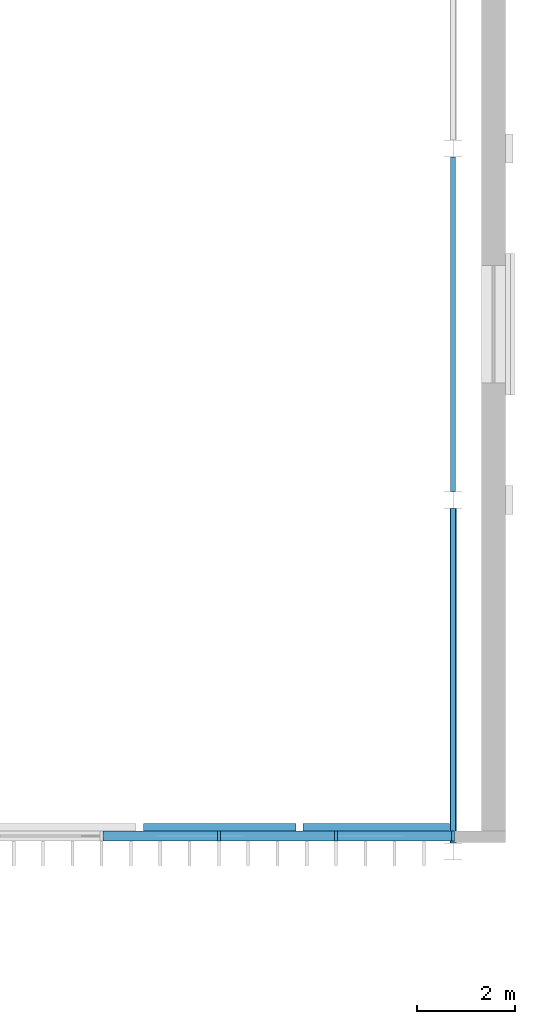
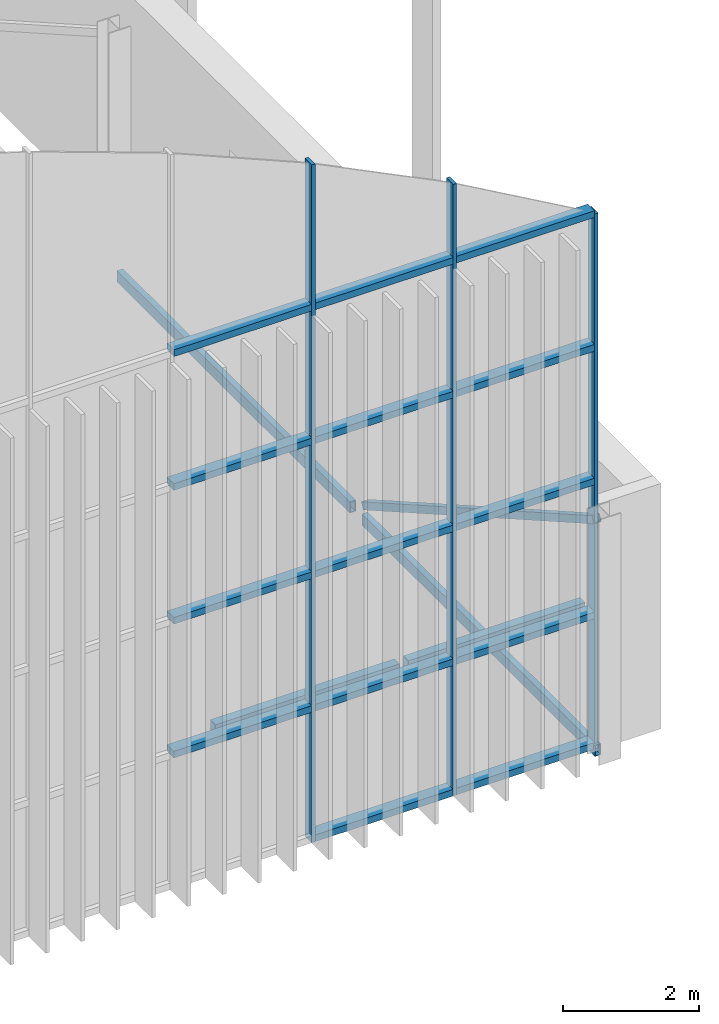
# One storey, part 58 of 169: 18 members, 4 beams, 1 element without a shape of its own.
"""IFC4 building model written with IfcOpenShell, lengths in metres."""

from ifc_helpers import new_model, si_unit, direction, frame, origin, origin_2d, place, context, subcontext, project, spatial, rectangle, hollow_rectangle, extrude, material, layer, layer_set, material_profile, profile_set, type_object, element, aggregate, save


model = new_model("IFC4")

# Units and contexts
model_context = context("Model", 3, precision=1e-05, world=origin(), true_north=direction((0.0, 1.0)))
body_context = subcontext(model_context, "Body", "Model", "MODEL_VIEW")
ifc_project = project(units=[si_unit("LENGTHUNIT", "METRE"), si_unit("AREAUNIT", "SQUARE_METRE"), si_unit("VOLUMEUNIT", "CUBIC_METRE"), si_unit("PLANEANGLEUNIT", "RADIAN"), si_unit("MASSUNIT", "GRAM", prefix="KILO")], contexts=[model_context])

# Site, building, storey
site_placement = place(None, origin())
site = spatial("IfcSite", under=ifc_project, at=site_placement, CompositionType="ELEMENT")
building_placement = place(site_placement, origin())
building = spatial("IfcBuilding", under=site, at=building_placement, Name="Verrick Yard Athletic Hall", CompositionType="ELEMENT")
storey_placement = place(building_placement, frame((0.0, 0.0, 4.39990234375)))
storey = spatial("IfcBuildingStorey", under=building, at=storey_placement, Name="L01", CompositionType="ELEMENT", Elevation=4.39990234375)

# Curtain wall, members
ifc_material_1 = material(Name="Anodised aluminium", Category="aluminium")
ifc_layer = layer(ifc_material_1, 0.199951171875)
ifc_layer_set = layer_set([ifc_layer], Name="Gable glazing")
curtain_wall_type = type_object("IfcCurtainWallType", Name="Gable glazing", PredefinedType="NOTDEFINED", material=ifc_layer_set)
curtain_wall_placement = place(storey_placement, origin())
curtain_wall = element("IfcCurtainWall", 1, at=curtain_wall_placement, inside=storey, type_object=curtain_wall_type, Name="Gable curtain wall AS", PredefinedType="NOTDEFINED")
ifc_material_profile_1 = material_profile(ifc_material_1, rectangle(XDim=0.199951171875, YDim=0.06005859375, at=origin_2d()), Name="CW gable mullion 60x200")
ifc_profile_set_1 = profile_set([ifc_material_profile_1], Name="Anodised aluminium")
member_type_1 = type_object("IfcMemberType", Name="Gable glazing mullion 60x200", PredefinedType="MULLION", material=ifc_profile_set_1)
member_1_placement = place(storey_placement, frame((164.800048828125, 72.318359375, 0.0), z_axis=(0.0, 0.0, 1.0), x_axis=(0.0, 1.0, 0.0)))
member_1 = element("IfcMember", 2, at=member_1_placement, type_object=member_type_1, Name="ENVB-HAS-CW/M18", PredefinedType="MULLION", context=body_context, shape_type="SweptSolid", body=[
    extrude(rectangle(XDim=0.199951171875, YDim=0.06005859375, at=origin_2d()), origin(), (0.0, 0.0, 1.0), 12.15869140625),
])
member_2_placement = place(storey_placement, frame((167.199951171875, 72.318359375, 0.0), z_axis=(0.0, 0.0, 1.0), x_axis=(0.0, 1.0, 0.0)))
member_2 = element("IfcMember", 3, at=member_2_placement, type_object=member_type_1, Name="ENVB-HAS-CW/M19", PredefinedType="MULLION", context=body_context, shape_type="SweptSolid", body=[
    extrude(rectangle(XDim=0.199951171875, YDim=0.06005859375, at=origin_2d()), origin(), (0.0, 0.0, 1.0), 10.970458984375),
])
member_3_placement = place(storey_placement, frame((169.60009765625, 72.318359375, 0.0), z_axis=(0.0, 0.0, 1.0), x_axis=(0.0, 1.0, 0.0)))
member_3 = element("IfcMember", 4, at=member_3_placement, type_object=member_type_1, Name="ENVB-HAS-CW/M20", PredefinedType="MULLION", context=body_context, shape_type="SweptSolid", body=[
    extrude(rectangle(XDim=0.199951171875, YDim=0.06005859375, at=origin_2d()), origin(), (0.0, 0.0, 1.0), 9.60009765625),
])
ifc_material_profile_2 = material_profile(ifc_material_1, rectangle(XDim=0.199951171875, YDim=0.1201171875, at=origin_2d()), Name="CW gable transom 200x120")
ifc_profile_set_2 = profile_set([ifc_material_profile_2], Name="Anodised aluminium")
member_type_2 = type_object("IfcMemberType", Name="Gable glazing transom 200x120", PredefinedType="USERDEFINED", material=ifc_profile_set_2)
member_4_placement = place(storey_placement, frame((162.429931640625, 72.318359375, 2.400146484375), z_axis=(1.0, 0.0, 0.0), x_axis=(0.0, 1.0, 0.0)))
member_4 = element("IfcMember", 5, at=member_4_placement, type_object=member_type_2, Name="ENVB-HAS-CW/T17-01", ObjectType="TRANSOM", PredefinedType="USERDEFINED", context=body_context, shape_type="SweptSolid", body=[
    extrude(rectangle(XDim=0.199951171875, YDim=0.1201171875, at=origin_2d()), origin(), (0.0, 0.0, 1.0), 2.340087890625),
])
member_5_placement = place(storey_placement, frame((162.429931640625, 72.318359375, 4.800048828125), z_axis=(1.0, 0.0, 0.0), x_axis=(0.0, 1.0, 0.0)))
member_5 = element("IfcMember", 6, at=member_5_placement, type_object=member_type_2, Name="ENVB-HAS-CW/T17-02", ObjectType="TRANSOM", PredefinedType="USERDEFINED", context=body_context, shape_type="SweptSolid", body=[
    extrude(rectangle(XDim=0.199951171875, YDim=0.1201171875, at=origin_2d()), origin(), (0.0, 0.0, 1.0), 2.340087890625),
])
member_6_placement = place(storey_placement, frame((162.429931640625, 72.318359375, 7.2001953125), z_axis=(1.0, 0.0, 0.0), x_axis=(0.0, 1.0, 0.0)))
member_6 = element("IfcMember", 7, at=member_6_placement, type_object=member_type_2, Name="ENVB-HAS-CW/T17-03", ObjectType="TRANSOM", PredefinedType="USERDEFINED", context=body_context, shape_type="SweptSolid", body=[
    extrude(rectangle(XDim=0.199951171875, YDim=0.1201171875, at=origin_2d()), origin(), (0.0, 0.0, 1.0), 2.340087890625),
])
member_7_placement = place(storey_placement, frame((162.429931640625, 72.318359375, 9.60009765625), z_axis=(1.0, 0.0, 0.0), x_axis=(0.0, 1.0, 0.0)))
member_7 = element("IfcMember", 8, at=member_7_placement, type_object=member_type_2, Name="ENVB-HAS-CW/T17-04", ObjectType="TRANSOM", PredefinedType="USERDEFINED", context=body_context, shape_type="SweptSolid", body=[
    extrude(rectangle(XDim=0.199951171875, YDim=0.1201171875, at=origin_2d()), origin(), (0.0, 0.0, 1.0), 2.340087890625),
])
member_8_placement = place(storey_placement, frame((164.830078125, 72.318359375, 0.06005859375), z_axis=(1.0, 0.0, 0.0), x_axis=(0.0, 1.0, 0.0)))
member_8 = element("IfcMember", 9, at=member_8_placement, type_object=member_type_2, Name="ENVB-HAS-CW/T18-00", ObjectType="TRANSOM", PredefinedType="USERDEFINED", context=body_context, shape_type="SweptSolid", body=[
    extrude(rectangle(XDim=0.199951171875, YDim=0.1201171875, at=origin_2d()), origin(), (0.0, 0.0, 1.0), 2.33984375),
])
member_9_placement = place(storey_placement, frame((164.830078125, 72.318359375, 2.400146484375), z_axis=(1.0, 0.0, 0.0), x_axis=(0.0, 1.0, 0.0)))
member_9 = element("IfcMember", 10, at=member_9_placement, type_object=member_type_2, Name="ENVB-HAS-CW/T18-01", ObjectType="TRANSOM", PredefinedType="USERDEFINED", context=body_context, shape_type="SweptSolid", body=[
    extrude(rectangle(XDim=0.199951171875, YDim=0.1201171875, at=origin_2d()), origin(), (0.0, 0.0, 1.0), 2.33984375),
])
member_10_placement = place(storey_placement, frame((164.830078125, 72.318359375, 4.800048828125), z_axis=(1.0, 0.0, 0.0), x_axis=(0.0, 1.0, 0.0)))
member_10 = element("IfcMember", 11, at=member_10_placement, type_object=member_type_2, Name="ENVB-HAS-CW/T18-02", ObjectType="TRANSOM", PredefinedType="USERDEFINED", context=body_context, shape_type="SweptSolid", body=[
    extrude(rectangle(XDim=0.199951171875, YDim=0.1201171875, at=origin_2d()), origin(), (0.0, 0.0, 1.0), 2.33984375),
])
member_11_placement = place(storey_placement, frame((164.830078125, 72.318359375, 7.2001953125), z_axis=(1.0, 0.0, 0.0), x_axis=(0.0, 1.0, 0.0)))
member_11 = element("IfcMember", 12, at=member_11_placement, type_object=member_type_2, Name="ENVB-HAS-CW/T18-03", ObjectType="TRANSOM", PredefinedType="USERDEFINED", context=body_context, shape_type="SweptSolid", body=[
    extrude(rectangle(XDim=0.199951171875, YDim=0.1201171875, at=origin_2d()), origin(), (0.0, 0.0, 1.0), 2.33984375),
])
member_12_placement = place(storey_placement, frame((164.830078125, 72.318359375, 9.60009765625), z_axis=(1.0, 0.0, 0.0), x_axis=(0.0, 1.0, 0.0)))
member_12 = element("IfcMember", 13, at=member_12_placement, type_object=member_type_2, Name="ENVB-HAS-CW/T18-04", ObjectType="TRANSOM", PredefinedType="USERDEFINED", context=body_context, shape_type="SweptSolid", body=[
    extrude(rectangle(XDim=0.199951171875, YDim=0.1201171875, at=origin_2d()), origin(), (0.0, 0.0, 1.0), 2.33984375),
])
member_13_placement = place(storey_placement, frame((167.22998046875, 72.318359375, 0.06005859375), z_axis=(1.0, 0.0, 0.0), x_axis=(0.0, 1.0, 0.0)))
member_13 = element("IfcMember", 14, at=member_13_placement, type_object=member_type_2, Name="ENVB-HAS-CW/T19-00", ObjectType="TRANSOM", PredefinedType="USERDEFINED", context=body_context, shape_type="SweptSolid", body=[
    extrude(rectangle(XDim=0.199951171875, YDim=0.1201171875, at=origin_2d()), origin(), (0.0, 0.0, 1.0), 2.340087890625),
])
member_14_placement = place(storey_placement, frame((167.22998046875, 72.318359375, 2.400146484375), z_axis=(1.0, 0.0, 0.0), x_axis=(0.0, 1.0, 0.0)))
member_14 = element("IfcMember", 15, at=member_14_placement, type_object=member_type_2, Name="ENVB-HAS-CW/T19-01", ObjectType="TRANSOM", PredefinedType="USERDEFINED", context=body_context, shape_type="SweptSolid", body=[
    extrude(rectangle(XDim=0.199951171875, YDim=0.1201171875, at=origin_2d()), origin(), (0.0, 0.0, 1.0), 2.340087890625),
])
member_15_placement = place(storey_placement, frame((167.22998046875, 72.318359375, 4.800048828125), z_axis=(1.0, 0.0, 0.0), x_axis=(0.0, 1.0, 0.0)))
member_15 = element("IfcMember", 16, at=member_15_placement, type_object=member_type_2, Name="ENVB-HAS-CW/T19-02", ObjectType="TRANSOM", PredefinedType="USERDEFINED", context=body_context, shape_type="SweptSolid", body=[
    extrude(rectangle(XDim=0.199951171875, YDim=0.1201171875, at=origin_2d()), origin(), (0.0, 0.0, 1.0), 2.340087890625),
])
member_16_placement = place(storey_placement, frame((167.22998046875, 72.318359375, 7.2001953125), z_axis=(1.0, 0.0, 0.0), x_axis=(0.0, 1.0, 0.0)))
member_16 = element("IfcMember", 17, at=member_16_placement, type_object=member_type_2, Name="ENVB-HAS-CW/T19-03", ObjectType="TRANSOM", PredefinedType="USERDEFINED", context=body_context, shape_type="SweptSolid", body=[
    extrude(rectangle(XDim=0.199951171875, YDim=0.1201171875, at=origin_2d()), origin(), (0.0, 0.0, 1.0), 2.340087890625),
])
member_17_placement = place(storey_placement, frame((167.22998046875, 72.318359375, 9.60009765625), z_axis=(1.0, 0.0, 0.0), x_axis=(0.0, 1.0, 0.0)))
member_17 = element("IfcMember", 18, at=member_17_placement, type_object=member_type_2, Name="ENVB-HAS-CW/T19-04", ObjectType="TRANSOM", PredefinedType="USERDEFINED", context=body_context, shape_type="SweptSolid", body=[
    extrude(rectangle(XDim=0.199951171875, YDim=0.1201171875, at=origin_2d()), origin(), (0.0, 0.0, 1.0), 2.340087890625),
])
aggregate(curtain_wall, [member_1, member_2, member_3, member_4, member_5, member_6, member_7, member_8, member_9, member_10, member_11, member_12, member_13, member_14, member_15, member_16, member_17])

# Beams
ifc_material_2 = material(Name="Structural steel HSS Class C 350W (CSA G40.20/G40.21)", Category="steel")
ifc_material_profile_3 = material_profile(ifc_material_2, hollow_rectangle(XDim=0.1015625, YDim=0.203125, WallThickness=0.009521484375, at=origin_2d()), Name="HSS203x102x9.5")
ifc_profile_set_3 = profile_set([ifc_material_profile_3], Name="Structural steel HSS Class C 350W (CSA G40.20/G40.21)")
beam_type_1 = type_object("IfcBeamType", Name="HB eaves girt HSS203x102x9.5", PredefinedType="BEAM", material=ifc_profile_set_3)
for number, where, z_axis, x_axis, name in (
    (19, (169.60009765625, 72.177978515625, 0.0), (0.0, 1.0, 0.0), (-1.0, 0.0, 0.0), "HB-GT-AE-1-L01"),
    (20, (169.60009765625, 79.3779296875, 0.0), (0.0, 1.0, 0.0), (-1.0, 0.0, 0.0), "HB-GT-AE-2-L01"),
):
    element("IfcBeam", number, at=place(storey_placement, frame(where, z_axis=z_axis, x_axis=x_axis)), inside=storey, type_object=beam_type_1, Name=name, PredefinedType="BEAM", context=body_context, shape_type="SweptSolid", body=[
        extrude(hollow_rectangle(XDim=0.1015625, YDim=0.203125, WallThickness=0.009521484375, at=origin_2d()), origin(), (0.0, 0.0, 1.0), 6.843994140625),
    ])

# Member
ifc_material_profile_4 = material_profile(ifc_material_2, hollow_rectangle(XDim=0.126953125, YDim=0.126953125, WallThickness=0.009521484375, at=origin_2d()), Name="HSS127x127x9.5")
ifc_profile_set_4 = profile_set([ifc_material_profile_4], Name="Structural steel HSS Class C 350W (CSA G40.20/G40.21)")
member_type_3 = type_object("IfcMemberType", Name="HB wall brace HSS127x127x9.5", PredefinedType="BRACE", material=ifc_profile_set_4)
member_18_placement = place(storey_placement, frame((169.60009765625, 72.20947265625, 4.130615234375), z_axis=(0.0, 0.869002642273, -0.494807445096), x_axis=(-1.0, 0.0, 0.0)))
element("IfcMember", 21, at=member_18_placement, inside=storey, type_object=member_type_3, Name="HB-BRW-AE-1-L01", PredefinedType="BRACE", context=body_context, shape_type="SweptSolid", body=[
    extrude(hollow_rectangle(XDim=0.126953125, YDim=0.126953125, WallThickness=0.009521484375, at=origin_2d()), origin(), (0.0, 0.0, 1.0), 7.80322265625),
])

# Beams
ifc_material_profile_5 = material_profile(ifc_material_2, hollow_rectangle(XDim=0.15234375, YDim=0.25390625, WallThickness=0.009521484375, at=origin_2d()), Name="HSS254x152x9.5")
ifc_profile_set_5 = profile_set([ifc_material_profile_5], Name="Structural steel HSS Class C 350W (CSA G40.20/G40.21)")
beam_type_2 = type_object("IfcBeamType", Name="HB wind girder HSS254x152x9.5", PredefinedType="BEAM", material=ifc_profile_set_5)
beam_1_placement = place(storey_placement, frame((163.252685546875, 72.49462890625, 2.400146484375), z_axis=(1.0, 0.0, 0.0), x_axis=(0.0, 1.0, 0.0)))
element("IfcBeam", 22, at=beam_1_placement, inside=storey, type_object=beam_type_2, Name="HB-WG-AS-68-10", PredefinedType="BEAM", context=body_context, shape_type="SweptSolid", body=[
    extrude(hollow_rectangle(XDim=0.15234375, YDim=0.25390625, WallThickness=0.009521484375, at=origin_2d()), origin(), (0.0, 0.0, 1.0), 3.123291015625),
])
beam_2_placement = place(storey_placement, frame((166.528564453125, 72.49462890625, 2.400146484375), z_axis=(1.0, 0.0, 0.0), x_axis=(0.0, 1.0, 0.0)))
element("IfcBeam", 23, at=beam_2_placement, inside=storey, type_object=beam_type_2, Name="HB-WG-AS-68-11", PredefinedType="BEAM", context=body_context, shape_type="SweptSolid", body=[
    extrude(hollow_rectangle(XDim=0.15234375, YDim=0.25390625, WallThickness=0.009521484375, at=origin_2d()), origin(), (0.0, 0.0, 1.0), 2.9951171875),
])

save(model, "model.ifc")
